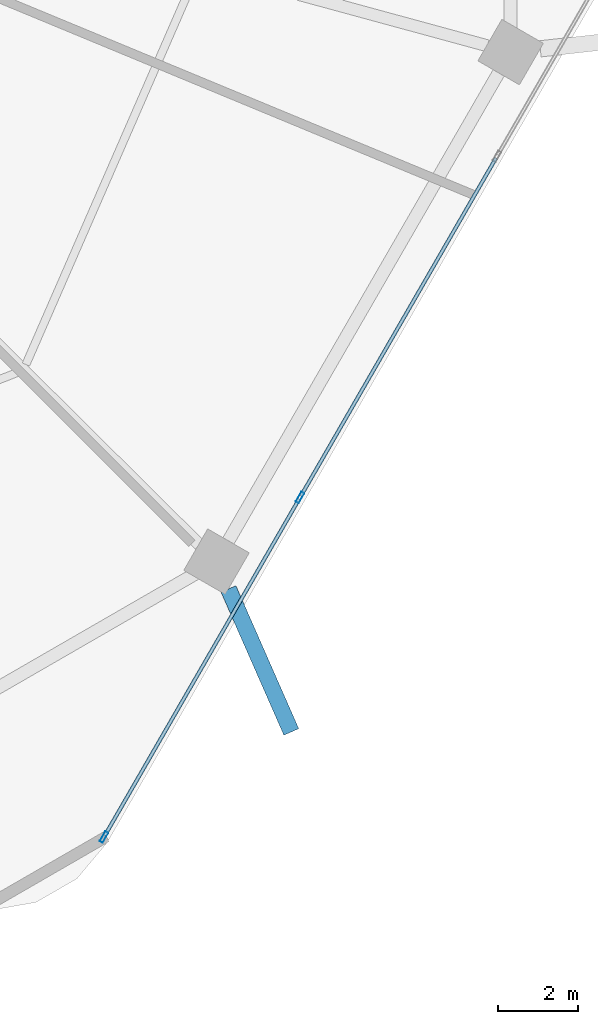
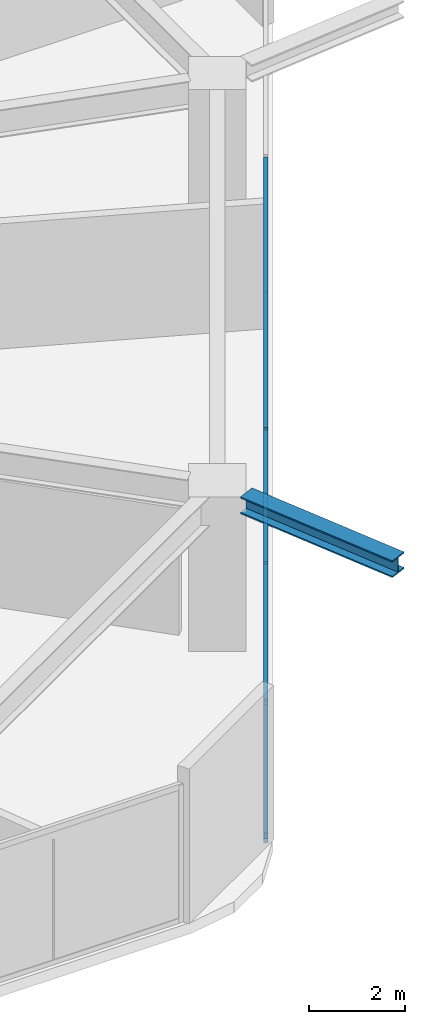
# One storey, part 9 of 25: 6 members, 1 beam, 1 element without a shape of its own.
"""IFC4 building model written with IfcOpenShell, lengths in metres."""

from ifc_helpers import new_model, si_unit, direction, frame, origin, origin_2d, place, context, subcontext, project, spatial, hollow_rectangle, i_section, extrude, material, material_profile, profile_set, type_object, element, aggregate, save


model = new_model("IFC4")

# Units and contexts
model_context = context("Model", 3, precision=1e-05, world=origin(), true_north=direction((0.0, 1.0)))
body_context = subcontext(model_context, "Body", "Model", "MODEL_VIEW")
ifc_project = project(units=[si_unit("LENGTHUNIT", "METRE"), si_unit("AREAUNIT", "SQUARE_METRE"), si_unit("VOLUMEUNIT", "CUBIC_METRE"), si_unit("PLANEANGLEUNIT", "RADIAN"), si_unit("MASSUNIT", "GRAM", prefix="KILO")], contexts=[model_context])

# Site, building, storey
site_placement = place(None, origin())
site = spatial("IfcSite", under=ifc_project, at=site_placement, CompositionType="ELEMENT")
building_placement = place(site_placement, origin())
building = spatial("IfcBuilding", under=site, at=building_placement, Name="Zuhravey Tower", CompositionType="ELEMENT")
storey_placement = place(building_placement, frame((0.0, 0.0, 70.800048828125)))
storey = spatial("IfcBuildingStorey", under=building, at=storey_placement, Name="L17", CompositionType="ELEMENT", Elevation=70.800048828125)

# Curtain wall, members
ifc_material_1 = material(Name="Thermally broken anodised aluminium", Category="aluminium")
curtain_wall_type = type_object("IfcCurtainWallType", Name="School Low-E Unitised Curtain Wall CW1", PredefinedType="NOTDEFINED", material=ifc_material_1)
curtain_wall_placement = place(storey_placement, origin())
curtain_wall = element("IfcCurtainWall", 1, at=curtain_wall_placement, inside=storey, type_object=curtain_wall_type, Name="L17 CW1 CW-L17-F6-1", PredefinedType="NOTDEFINED")
ifc_material_2 = material(Name="Anodised aluminium", Category="aluminium")
ifc_material_profile_1 = material_profile(ifc_material_2, hollow_rectangle(XDim=0.090087890625, YDim=0.284912109375, WallThickness=0.0048828125, at=origin_2d()), Name="ALU-RHS-90x285x5")
ifc_profile_set_1 = profile_set([ifc_material_profile_1], Name="Anodised aluminium")
member_type_1 = type_object("IfcMemberType", Name="Curtain-Wall Mullion 90x180", PredefinedType="MULLION", material=ifc_profile_set_1)
member_1_placement = place(storey_placement, frame((58.612060546875, 13.24853515625, 0.0), z_axis=(0.0, 0.0, 1.0), x_axis=(0.86602552265, -0.499999794119, 0.0)))
member_1 = element("IfcMember", 2, at=member_1_placement, type_object=member_type_1, Name="CW1 mullion 3", PredefinedType="MULLION", context=body_context, shape_type="SweptSolid", body=[
    extrude(hollow_rectangle(XDim=0.090087890625, YDim=0.284912109375, WallThickness=0.0048828125, at=origin_2d()), origin(), (0.0, 0.0, 1.0), 3.491943359375),
])
member_2_placement = place(storey_placement, frame((53.701416015625, 4.742919921875, 0.0), z_axis=(0.0, 0.0, 1.0), x_axis=(0.86602552265, -0.499999794119, 0.0)))
member_2 = element("IfcMember", 3, at=member_2_placement, type_object=member_type_1, Name="CW1 mullion 4", PredefinedType="MULLION", context=body_context, shape_type="SweptSolid", body=[
    extrude(hollow_rectangle(XDim=0.090087890625, YDim=0.284912109375, WallThickness=0.0048828125, at=origin_2d()), origin(), (0.0, 0.0, 1.0), 3.491943359375),
])
ifc_material_profile_2 = material_profile(ifc_material_2, hollow_rectangle(XDim=0.090087890625, YDim=0.14990234375, WallThickness=0.0048828125, at=origin_2d()), Name="ALU-RHS-90x150x5")
ifc_profile_set_2 = profile_set([ifc_material_profile_2], Name="Anodised aluminium")
member_type_2 = type_object("IfcMemberType", Name="Curtain-Wall Transom 90x150", PredefinedType="USERDEFINED", material=ifc_profile_set_2)
member_3_placement = place(storey_placement, frame((63.52294921875, 21.754150390625, 0.044921875), z_axis=(-0.499990498062, -0.866030889661, 0.0), x_axis=(0.866030889661, -0.499990498062, 0.0)))
member_3 = element("IfcMember", 4, at=member_3_placement, type_object=member_type_2, Name="CW1 transom 2.1", ObjectType="TRANSOM", PredefinedType="USERDEFINED", context=body_context, shape_type="SweptSolid", body=[
    extrude(hollow_rectangle(XDim=0.090087890625, YDim=0.14990234375, WallThickness=0.0048828125, at=origin_2d()), origin(), (0.0, 0.0, 1.0), 9.776611328125),
])
member_4_placement = place(storey_placement, frame((63.52294921875, 21.754150390625, 3.447021484375), z_axis=(-0.499990498062, -0.866030889661, 0.0), x_axis=(0.866030889661, -0.499990498062, 0.0)))
member_4 = element("IfcMember", 5, at=member_4_placement, type_object=member_type_2, Name="CW1 transom 2.2", ObjectType="TRANSOM", PredefinedType="USERDEFINED", context=body_context, shape_type="SweptSolid", body=[
    extrude(hollow_rectangle(XDim=0.090087890625, YDim=0.14990234375, WallThickness=0.0048828125, at=origin_2d()), origin(), (0.0, 0.0, 1.0), 9.776611328125),
])
member_5_placement = place(storey_placement, frame((58.589599609375, 13.20947265625, 0.044921875), z_axis=(-0.499989576763, -0.86603142156, 0.0), x_axis=(0.86603142156, -0.499989576763, 0.0)))
member_5 = element("IfcMember", 6, at=member_5_placement, type_object=member_type_2, Name="CW1 transom 3.1", ObjectType="TRANSOM", PredefinedType="USERDEFINED", context=body_context, shape_type="SweptSolid", body=[
    extrude(hollow_rectangle(XDim=0.090087890625, YDim=0.14990234375, WallThickness=0.0048828125, at=origin_2d()), origin(), (0.0, 0.0, 1.0), 9.731201171875),
])
member_6_placement = place(storey_placement, frame((58.589599609375, 13.20947265625, 3.447021484375), z_axis=(-0.499989576763, -0.86603142156, 0.0), x_axis=(0.86603142156, -0.499989576763, 0.0)))
member_6 = element("IfcMember", 7, at=member_6_placement, type_object=member_type_2, Name="CW1 transom 3.2", ObjectType="TRANSOM", PredefinedType="USERDEFINED", context=body_context, shape_type="SweptSolid", body=[
    extrude(hollow_rectangle(XDim=0.090087890625, YDim=0.14990234375, WallThickness=0.0048828125, at=origin_2d()), origin(), (0.0, 0.0, 1.0), 9.731201171875),
])
aggregate(curtain_wall, [member_1, member_2, member_3, member_4, member_5, member_6])

# Beam
ifc_material_3 = material(Name="Steel SM460", Category="steel")
ifc_material_profile_3 = material_profile(ifc_material_3, i_section(OverallWidth=0.406982421875, OverallDepth=0.427978515625, WebThickness=0.02001953125, FlangeThickness=0.034912109375, at=origin_2d()), Name="H-428x407x20x35")
ifc_profile_set_3 = profile_set([ifc_material_profile_3], Name="Steel SM460")
beam_type = type_object("IfcBeamType", Name="Exoskeleton Node Tie Beam H428x407", PredefinedType="BEAM", material=ifc_profile_set_3)
beam_placement = place(storey_placement, frame((56.820068359375, 10.9580078125, 3.7060546875), z_axis=(0.402366403128, -0.915478715009, 0.0), x_axis=(0.915478715009, 0.402366403128, 0.0)))
element("IfcBeam", 8, at=beam_placement, inside=storey, type_object=beam_type, Name="L17 Exoskeleton Node Tie NT1-11", PredefinedType="BEAM", context=body_context, shape_type="SweptSolid", body=[
    extrude(i_section(OverallWidth=0.406982421875, OverallDepth=0.427978515625, WebThickness=0.02001953125, FlangeThickness=0.034912109375, at=origin_2d()), origin(), (0.0, 0.0, 1.0), 3.9130859375),
])

save(model, "model.ifc")
